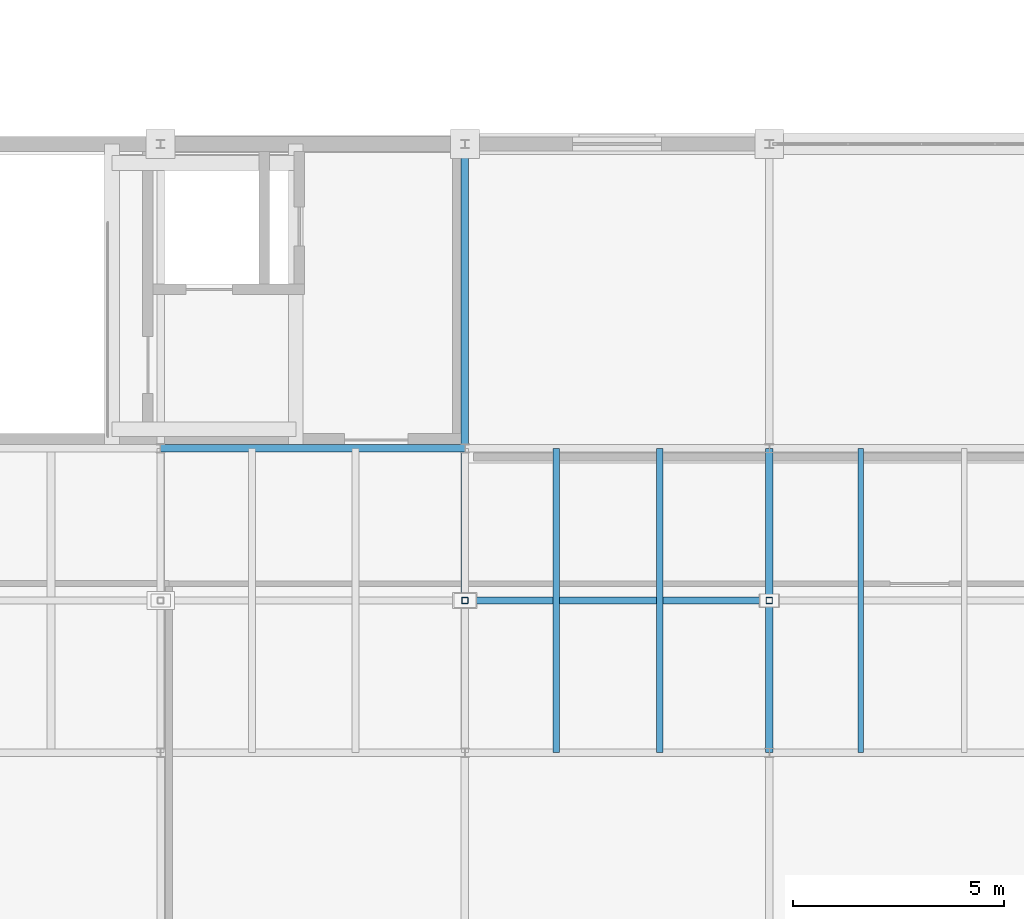
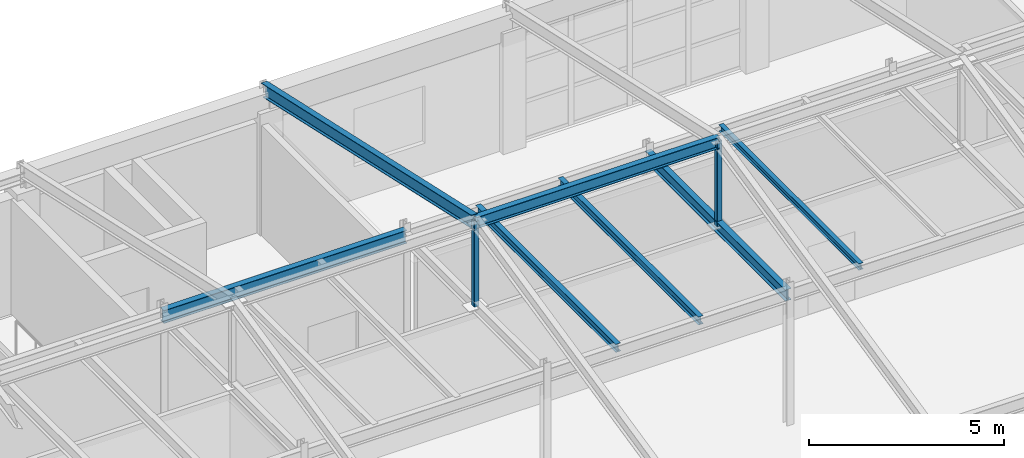
# One storey, part 64 of 101: 7 beams, 2 members.
"""IFC4 building model written with IfcOpenShell, lengths in metres."""

from ifc_helpers import new_model, si_unit, direction, frame, origin, origin_2d, place, context, subcontext, project, spatial, hollow_rectangle, i_section, extrude, material, material_profile, profile_set, type_object, element, save


model = new_model("IFC4")

# Units and contexts
model_context = context("Model", 3, precision=1e-05, world=origin(), true_north=direction((0.0, 1.0)))
body_context = subcontext(model_context, "Body", "Model", "MODEL_VIEW")
ifc_project = project(units=[si_unit("LENGTHUNIT", "METRE"), si_unit("AREAUNIT", "SQUARE_METRE"), si_unit("VOLUMEUNIT", "CUBIC_METRE"), si_unit("PLANEANGLEUNIT", "RADIAN"), si_unit("MASSUNIT", "GRAM", prefix="KILO")], contexts=[model_context])

# Site, building, storey
site_placement = place(None, origin())
site = spatial("IfcSite", under=ifc_project, at=site_placement, CompositionType="ELEMENT")
building_placement = place(site_placement, origin())
building = spatial("IfcBuilding", under=site, at=building_placement, Name="Kemerveld Promenade Tramway Depot", CompositionType="ELEMENT")
storey_placement = place(building_placement, frame((0.0, 0.0, 9.89990234375)))
storey = spatial("IfcBuildingStorey", under=building, at=storey_placement, Name="L02", CompositionType="ELEMENT", Elevation=9.89990234375)

# Beams
ifc_material = material(Name="Steel S355", Category="steel")
ifc_material_profile_1 = material_profile(ifc_material, i_section(OverallWidth=0.1787109375, OverallDepth=0.409423828125, WebThickness=0.0087890625, FlangeThickness=0.014404296875, FilletRadius=0.01025390625, at=origin_2d()), Name="406x178x67 UB")
ifc_profile_set_1 = profile_set([ifc_material_profile_1], Name="Steel S355")
beam_type_1 = type_object("IfcBeamType", Name="BM-G07", PredefinedType="BEAM", material=ifc_profile_set_1)
beam_1_placement = place(storey_placement, frame((93.60009765625, 21.60009765625, 4.0703125), z_axis=(1.0, 0.0, 0.0), x_axis=(0.0, 1.0, 0.0)))
element("IfcBeam", 1, at=beam_1_placement, inside=storey, type_object=beam_type_1, Name="BMX-L02-14-15-D", PredefinedType="BEAM", context=body_context, shape_type="SweptSolid", body=[
    extrude(i_section(OverallWidth=0.1787109375, OverallDepth=0.409423828125, WebThickness=0.0087890625, FlangeThickness=0.014404296875, FilletRadius=0.01025390625, at=origin_2d()), origin(), (0.0, 0.0, 1.0), 7.199951171875),
])
beam_2_placement = place(storey_placement, frame((100.800048828125, 18.0, 6.67529296875), z_axis=(0.0, 0.976189137057, -0.216921111677), x_axis=(-1.0, 0.0, 0.0)))
element("IfcBeam", 2, at=beam_2_placement, inside=storey, type_object=beam_type_1, Name="RAF-V4-15-N", PredefinedType="BEAM", context=body_context, shape_type="SweptSolid", body=[
    extrude(i_section(OverallWidth=0.1787109375, OverallDepth=0.409423828125, WebThickness=0.0087890625, FlangeThickness=0.014404296875, FilletRadius=0.01025390625, at=origin_2d()), origin(), (0.0, 0.0, 1.0), 11.0634765625),
])
ifc_material_profile_2 = material_profile(ifc_material, i_section(OverallWidth=0.172119140625, OverallDepth=0.35791015625, WebThickness=0.008056640625, FlangeThickness=0.012939453125, FilletRadius=0.01025390625, at=origin_2d()), Name="356x171x57 UB")
ifc_profile_set_2 = profile_set([ifc_material_profile_2], Name="Steel S355")
beam_type_2 = type_object("IfcBeamType", Name="BM-G08", PredefinedType="BEAM", material=ifc_profile_set_2)
beam_3_placement = place(storey_placement, frame((108.0, 14.39990234375, 4.041015625), z_axis=(0.0, 1.0, 0.0), x_axis=(-1.0, 0.0, 0.0)))
element("IfcBeam", 3, at=beam_3_placement, inside=storey, type_object=beam_type_2, Name="BMY-L02-16-C-D", PredefinedType="BEAM", context=body_context, shape_type="SweptSolid", body=[
    extrude(i_section(OverallWidth=0.172119140625, OverallDepth=0.35791015625, WebThickness=0.008056640625, FlangeThickness=0.012939453125, FilletRadius=0.01025390625, at=origin_2d()), origin(), (0.0, 0.0, 1.0), 7.2001953125),
])
beam_4_placement = place(storey_placement, frame((100.800048828125, 18.0, 6.67529296875), z_axis=(1.0, 0.0, 0.0), x_axis=(0.0, 1.0, 0.0)))
element("IfcBeam", 4, at=beam_4_placement, inside=storey, type_object=beam_type_2, Name="BM-RDG-V4-7", PredefinedType="BEAM", context=body_context, shape_type="SweptSolid", body=[
    extrude(i_section(OverallWidth=0.172119140625, OverallDepth=0.35791015625, WebThickness=0.008056640625, FlangeThickness=0.012939453125, FilletRadius=0.01025390625, at=origin_2d()), origin(), (0.0, 0.0, 1.0), 7.199951171875),
])
ifc_material_profile_3 = material_profile(ifc_material, i_section(OverallWidth=0.146484375, OverallDepth=0.256103515625, WebThickness=0.00634765625, FlangeThickness=0.010986328125, FilletRadius=0.007568359375, at=origin_2d()), Name="254x146x37 UB")
ifc_profile_set_3 = profile_set([ifc_material_profile_3], Name="Steel S355")
beam_type_3 = type_object("IfcBeamType", Name="BM-J02", PredefinedType="JOIST", material=ifc_profile_set_3)
for number, where, z_axis, x_axis, name in (
    (5, (102.9599609375, 14.39990234375, 4.147216796875), (0.0, 1.0, 0.0), (-1.0, 0.0, 0.0), "JST-L02-15-C-1"),
    (6, (105.407958984375, 14.39990234375, 4.147216796875), (0.0, 1.0, 0.0), (-1.0, 0.0, 0.0), "JST-L02-15-C-2"),
):
    element("IfcBeam", number, at=place(storey_placement, frame(where, z_axis=z_axis, x_axis=x_axis)), inside=storey, type_object=beam_type_3, Name=name, PredefinedType="JOIST", context=body_context, shape_type="SweptSolid", body=[
        extrude(i_section(OverallWidth=0.146484375, OverallDepth=0.256103515625, WebThickness=0.00634765625, FlangeThickness=0.010986328125, FilletRadius=0.007568359375, at=origin_2d()), origin(), (0.0, 0.0, 1.0), 7.2001953125),
    ])
ifc_material_profile_4 = material_profile(ifc_material, i_section(OverallWidth=0.13330078125, OverallDepth=0.203125, WebThickness=0.005615234375, FlangeThickness=0.0078125, FilletRadius=0.007568359375, at=origin_2d()), Name="203x133x25 UB")
ifc_profile_set_4 = profile_set([ifc_material_profile_4], Name="Steel S355")
beam_type_4 = type_object("IfcBeamType", Name="BM-J03", PredefinedType="JOIST", material=ifc_profile_set_4)
beam_5_placement = place(storey_placement, frame((110.159912109375, 14.39990234375, 4.173583984375), z_axis=(0.0, 1.0, 0.0), x_axis=(-1.0, 0.0, 0.0)))
element("IfcBeam", 7, at=beam_5_placement, inside=storey, type_object=beam_type_4, Name="JST-L02-16-C-1", PredefinedType="JOIST", context=body_context, shape_type="SweptSolid", body=[
    extrude(i_section(OverallWidth=0.13330078125, OverallDepth=0.203125, WebThickness=0.005615234375, FlangeThickness=0.0078125, FilletRadius=0.007568359375, at=origin_2d()), origin(), (0.0, 0.0, 1.0), 7.2001953125),
])

# Members
ifc_material_profile_5 = material_profile(ifc_material, hollow_rectangle(XDim=0.14990234375, YDim=0.14990234375, WallThickness=0.008056640625, InnerFilletRadius=0.00390625, OuterFilletRadius=0.011962890625, at=origin_2d()), Name="150x150x8.0 SHS")
ifc_profile_set_5 = profile_set([ifc_material_profile_5], Name="Steel S355")
member_type = type_object("IfcMemberType", Name="MB-TP2", PredefinedType="POST", material=ifc_profile_set_5)
for number, where, z_axis, x_axis, name in (
    (8, (100.800048828125, 18.0, 4.050048828125), (0.0, 0.0, 1.0), (1.0, 0.0, 0.0), "POST-RDG-V4-15"),
    (9, (108.0, 18.0, 4.050048828125), (0.0, 0.0, 1.0), (1.0, 0.0, 0.0), "POST-RDG-V4-16"),
):
    element("IfcMember", number, at=place(storey_placement, frame(where, z_axis=z_axis, x_axis=x_axis)), inside=storey, type_object=member_type, Name=name, PredefinedType="POST", context=body_context, shape_type="SweptSolid", body=[
        extrude(hollow_rectangle(XDim=0.14990234375, YDim=0.14990234375, WallThickness=0.008056640625, InnerFilletRadius=0.00390625, OuterFilletRadius=0.011962890625, at=origin_2d()), origin(), (0.0, 0.0, 1.0), 2.665283203125),
    ])

save(model, "model.ifc")
